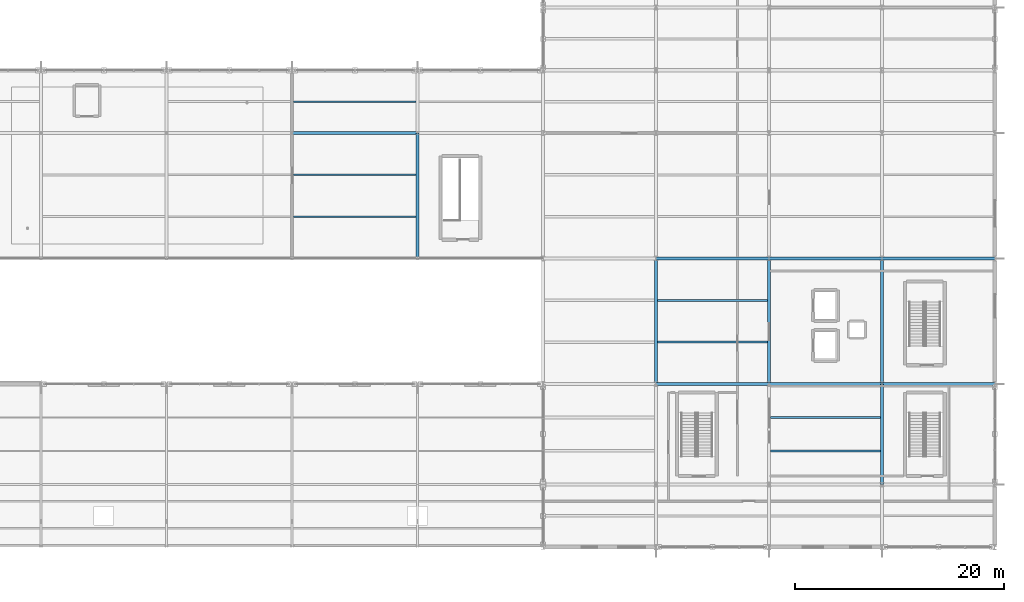
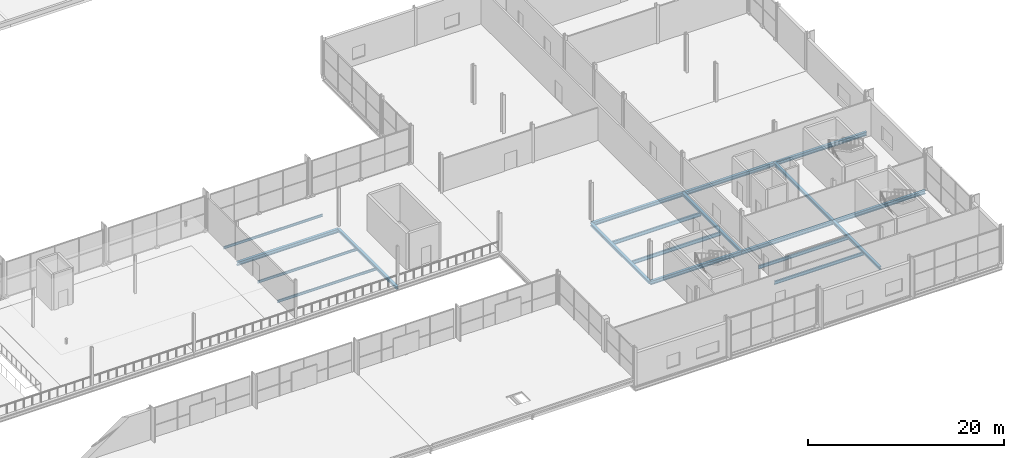
# One storey, part 107 of 159: 19 beams.
"""IFC4 building model written with IfcOpenShell, lengths in metres."""

from ifc_helpers import new_model, si_unit, direction, frame, origin, origin_2d, place, context, subcontext, project, spatial, i_section, extrude, material, material_profile, profile_set, type_object, element, save


model = new_model("IFC4")

# Units and contexts
model_context = context("Model", 3, precision=1e-05, world=origin(), true_north=direction((0.0, 1.0)))
body_context = subcontext(model_context, "Body", "Model", "MODEL_VIEW")
ifc_project = project(units=[si_unit("LENGTHUNIT", "METRE"), si_unit("AREAUNIT", "SQUARE_METRE"), si_unit("VOLUMEUNIT", "CUBIC_METRE"), si_unit("PLANEANGLEUNIT", "RADIAN"), si_unit("MASSUNIT", "GRAM", prefix="KILO")], contexts=[model_context])

# Site, building, storey
site_placement = place(None, origin())
site = spatial("IfcSite", under=ifc_project, at=site_placement, CompositionType="ELEMENT")
building_placement = place(site_placement, origin())
building = spatial("IfcBuilding", under=site, at=building_placement, Name="Merenkruunu Market Hall", CompositionType="ELEMENT")
storey_placement = place(building_placement, frame((0.0, 0.0, 5.39990234375)))
storey = spatial("IfcBuildingStorey", under=building, at=storey_placement, Name="L01", CompositionType="ELEMENT", Elevation=5.39990234375)

# Beams
ifc_material = material(Name="Steel S355J2", Category="steel")
ifc_material_profile_1 = material_profile(ifc_material, i_section(OverallWidth=0.300048828125, OverallDepth=0.449951171875, WebThickness=0.013916015625, FlangeThickness=0.02587890625, FilletRadius=0.027099609375, at=origin_2d()), Name="HEB 450")
ifc_profile_set_1 = profile_set([ifc_material_profile_1], Name="Steel S355J2")
beam_type_1 = type_object("IfcBeamType", Name="Primary Floor Girder B03", PredefinedType="BEAM", material=ifc_profile_set_1)
beam_1_placement = place(storey_placement, frame((159.60009765625, 15.60009765625, -0.5048828125), z_axis=(1.0, 0.0, 0.0), x_axis=(0.0, 1.0, 0.0)))
element("IfcBeam", 1, at=beam_1_placement, inside=storey, type_object=beam_type_1, Name="BM-L01-B03-0478", PredefinedType="BEAM", context=body_context, shape_type="SweptSolid", body=[
    extrude(i_section(OverallWidth=0.300048828125, OverallDepth=0.449951171875, WebThickness=0.013916015625, FlangeThickness=0.02587890625, FilletRadius=0.027099609375, at=origin_2d()), origin(), (0.0, 0.0, 1.0), 10.7998046875),
])
for number, where, z_axis, x_axis, name in (
    (2, (170.39990234375, 15.60009765625, -0.5048828125), (1.0, 0.0, 0.0), (0.0, 1.0, 0.0), "BM-L01-B03-0479"),
    (3, (181.199951171875, 15.60009765625, -0.5048828125), (1.0, 0.0, 0.0), (0.0, 1.0, 0.0), "BM-L01-B03-0480"),
):
    element("IfcBeam", number, at=place(storey_placement, frame(where, z_axis=z_axis, x_axis=x_axis)), inside=storey, type_object=beam_type_1, Name=name, PredefinedType="BEAM", context=body_context, shape_type="SweptSolid", body=[
        extrude(i_section(OverallWidth=0.300048828125, OverallDepth=0.449951171875, WebThickness=0.013916015625, FlangeThickness=0.02587890625, FilletRadius=0.027099609375, at=origin_2d()), origin(), (0.0, 0.0, 1.0), 10.800048828125),
    ])
beam_2_placement = place(storey_placement, frame((159.60009765625, 27.60009765625, -0.5048828125), z_axis=(1.0, 0.0, 0.0), x_axis=(0.0, 1.0, 0.0)))
element("IfcBeam", 4, at=beam_2_placement, inside=storey, type_object=beam_type_1, Name="BM-L01-B03-0491", PredefinedType="BEAM", context=body_context, shape_type="SweptSolid", body=[
    extrude(i_section(OverallWidth=0.300048828125, OverallDepth=0.449951171875, WebThickness=0.013916015625, FlangeThickness=0.02587890625, FilletRadius=0.027099609375, at=origin_2d()), origin(), (0.0, 0.0, 1.0), 10.7998046875),
])
for number, where, z_axis, x_axis, name in (
    (5, (170.39990234375, 27.60009765625, -0.5048828125), (1.0, 0.0, 0.0), (0.0, 1.0, 0.0), "BM-L01-B03-0492"),
    (6, (181.199951171875, 27.60009765625, -0.5048828125), (1.0, 0.0, 0.0), (0.0, 1.0, 0.0), "BM-L01-B03-0493"),
):
    element("IfcBeam", number, at=place(storey_placement, frame(where, z_axis=z_axis, x_axis=x_axis)), inside=storey, type_object=beam_type_1, Name=name, PredefinedType="BEAM", context=body_context, shape_type="SweptSolid", body=[
        extrude(i_section(OverallWidth=0.300048828125, OverallDepth=0.449951171875, WebThickness=0.013916015625, FlangeThickness=0.02587890625, FilletRadius=0.027099609375, at=origin_2d()), origin(), (0.0, 0.0, 1.0), 10.800048828125),
    ])
beam_3_placement = place(storey_placement, frame((124.800048828125, 39.60009765625, -0.5048828125), z_axis=(1.0, 0.0, 0.0), x_axis=(0.0, 1.0, 0.0)))
element("IfcBeam", 7, at=beam_3_placement, inside=storey, type_object=beam_type_1, Name="BM-L01-B03-0501", PredefinedType="BEAM", context=body_context, shape_type="SweptSolid", body=[
    extrude(i_section(OverallWidth=0.300048828125, OverallDepth=0.449951171875, WebThickness=0.013916015625, FlangeThickness=0.02587890625, FilletRadius=0.027099609375, at=origin_2d()), origin(), (0.0, 0.0, 1.0), 12.0),
])
ifc_material_profile_2 = material_profile(ifc_material, i_section(OverallWidth=0.300048828125, OverallDepth=0.35009765625, WebThickness=0.010009765625, FlangeThickness=0.017578125, FilletRadius=0.027099609375, at=origin_2d()), Name="HEA 360")
ifc_profile_set_2 = profile_set([ifc_material_profile_2], Name="Steel S355J2")
beam_type_2 = type_object("IfcBeamType", Name="Primary Floor Girder B08", PredefinedType="BEAM", material=ifc_profile_set_2)
for number, where, z_axis, x_axis, name in (
    (8, (136.800048828125, 27.60009765625, -0.454833984375), (0.0, 1.0, 0.0), (-1.0, 0.0, 0.0), "BM-L01-B08-0613"),
    (9, (159.60009765625, 15.60009765625, -0.454833984375), (0.0, 1.0, 0.0), (-1.0, 0.0, 0.0), "BM-L01-B08-0624"),
    (10, (170.39990234375, 15.60009765625, -0.454833984375), (0.0, 1.0, 0.0), (-1.0, 0.0, 0.0), "BM-L01-B08-0631"),
):
    element("IfcBeam", number, at=place(storey_placement, frame(where, z_axis=z_axis, x_axis=x_axis)), inside=storey, type_object=beam_type_2, Name=name, PredefinedType="BEAM", context=body_context, shape_type="SweptSolid", body=[
        extrude(i_section(OverallWidth=0.300048828125, OverallDepth=0.35009765625, WebThickness=0.010009765625, FlangeThickness=0.017578125, FilletRadius=0.027099609375, at=origin_2d()), origin(), (0.0, 0.0, 1.0), 12.0),
    ])
beam_4_placement = place(storey_placement, frame((181.199951171875, 6.0, -0.454833984375), z_axis=(0.0, 1.0, 0.0), x_axis=(-1.0, 0.0, 0.0)))
element("IfcBeam", 11, at=beam_4_placement, inside=storey, type_object=beam_type_2, Name="BM-L01-B08-0637", PredefinedType="BEAM", context=body_context, shape_type="SweptSolid", body=[
    extrude(i_section(OverallWidth=0.300048828125, OverallDepth=0.35009765625, WebThickness=0.010009765625, FlangeThickness=0.017578125, FilletRadius=0.027099609375, at=origin_2d()), origin(), (0.0, 0.0, 1.0), 9.60009765625),
])
beam_5_placement = place(storey_placement, frame((181.199951171875, 15.60009765625, -0.454833984375), z_axis=(0.0, 1.0, 0.0), x_axis=(-1.0, 0.0, 0.0)))
element("IfcBeam", 12, at=beam_5_placement, inside=storey, type_object=beam_type_2, Name="BM-L01-B08-0638", PredefinedType="BEAM", context=body_context, shape_type="SweptSolid", body=[
    extrude(i_section(OverallWidth=0.300048828125, OverallDepth=0.35009765625, WebThickness=0.010009765625, FlangeThickness=0.017578125, FilletRadius=0.027099609375, at=origin_2d()), origin(), (0.0, 0.0, 1.0), 12.0),
])
ifc_material_profile_3 = material_profile(ifc_material, i_section(OverallWidth=0.18994140625, OverallDepth=0.449951171875, WebThickness=0.009521484375, FlangeThickness=0.0146484375, FilletRadius=0.02099609375, at=origin_2d()), Name="IPE 450")
ifc_profile_set_3 = profile_set([ifc_material_profile_3], Name="Steel S355J2")
beam_type_3 = type_object("IfcBeamType", Name="Secondary Floor Joist J01", PredefinedType="JOIST", material=ifc_profile_set_3)
for number, where, z_axis, x_axis, name in (
    (13, (159.7529296875, 19.60009765625, -0.5048828125), (1.0, 0.0, 0.0), (0.0, 1.0, 0.0), "BM-L01-J01-0712"),
    (14, (159.7529296875, 23.60009765625, -0.5048828125), (1.0, 0.0, 0.0), (0.0, 1.0, 0.0), "BM-L01-J01-0713"),
):
    element("IfcBeam", number, at=place(storey_placement, frame(where, z_axis=z_axis, x_axis=x_axis)), inside=storey, type_object=beam_type_3, Name=name, PredefinedType="JOIST", context=body_context, shape_type="SweptSolid", body=[
        extrude(i_section(OverallWidth=0.18994140625, OverallDepth=0.449951171875, WebThickness=0.009521484375, FlangeThickness=0.0146484375, FilletRadius=0.02099609375, at=origin_2d()), origin(), (0.0, 0.0, 1.0), 10.494140625),
    ])
ifc_material_profile_4 = material_profile(ifc_material, i_section(OverallWidth=0.179931640625, OverallDepth=0.39990234375, WebThickness=0.008544921875, FlangeThickness=0.013427734375, FilletRadius=0.02099609375, at=origin_2d()), Name="IPE 400")
ifc_profile_set_4 = profile_set([ifc_material_profile_4], Name="Steel S355J2")
beam_type_4 = type_object("IfcBeamType", Name="Secondary Floor Joist J02", PredefinedType="JOIST", material=ifc_profile_set_4)
for number, where, z_axis, x_axis, name in (
    (15, (170.552978515625, 9.199951171875, -0.47998046875), (1.0, 0.0, 0.0), (0.0, 1.0, 0.0), "BM-L01-J02-0721"),
    (16, (170.552978515625, 12.39990234375, -0.47998046875), (1.0, 0.0, 0.0), (0.0, 1.0, 0.0), "BM-L01-J02-0722"),
):
    element("IfcBeam", number, at=place(storey_placement, frame(where, z_axis=z_axis, x_axis=x_axis)), inside=storey, type_object=beam_type_4, Name=name, PredefinedType="JOIST", context=body_context, shape_type="SweptSolid", body=[
        extrude(i_section(OverallWidth=0.179931640625, OverallDepth=0.39990234375, WebThickness=0.008544921875, FlangeThickness=0.013427734375, FilletRadius=0.02099609375, at=origin_2d()), origin(), (0.0, 0.0, 1.0), 10.494140625),
    ])
ifc_material_profile_5 = material_profile(ifc_material, i_section(OverallWidth=0.14990234375, OverallDepth=0.300048828125, WebThickness=0.007080078125, FlangeThickness=0.0107421875, FilletRadius=0.014892578125, at=origin_2d()), Name="IPE 300")
ifc_profile_set_5 = profile_set([ifc_material_profile_5], Name="Steel S355J2")
beam_type_5 = type_object("IfcBeamType", Name="Secondary Floor Joist J04", PredefinedType="JOIST", material=ifc_profile_set_5)
for number, where, z_axis, x_axis, name in (
    (17, (124.952880859375, 31.60009765625, -0.429931640625), (1.0, 0.0, 0.0), (0.0, 1.0, 0.0), "BM-L01-J04-0696"),
    (18, (124.952880859375, 35.60009765625, -0.429931640625), (1.0, 0.0, 0.0), (0.0, 1.0, 0.0), "BM-L01-J04-0697"),
    (19, (124.952880859375, 42.60009765625, -0.429931640625), (1.0, 0.0, 0.0), (0.0, 1.0, 0.0), "BM-L01-J04-0698"),
):
    element("IfcBeam", number, at=place(storey_placement, frame(where, z_axis=z_axis, x_axis=x_axis)), inside=storey, type_object=beam_type_5, Name=name, PredefinedType="JOIST", context=body_context, shape_type="SweptSolid", body=[
        extrude(i_section(OverallWidth=0.14990234375, OverallDepth=0.300048828125, WebThickness=0.007080078125, FlangeThickness=0.0107421875, FilletRadius=0.014892578125, at=origin_2d()), origin(), (0.0, 0.0, 1.0), 11.694091796875),
    ])

save(model, "model.ifc")
